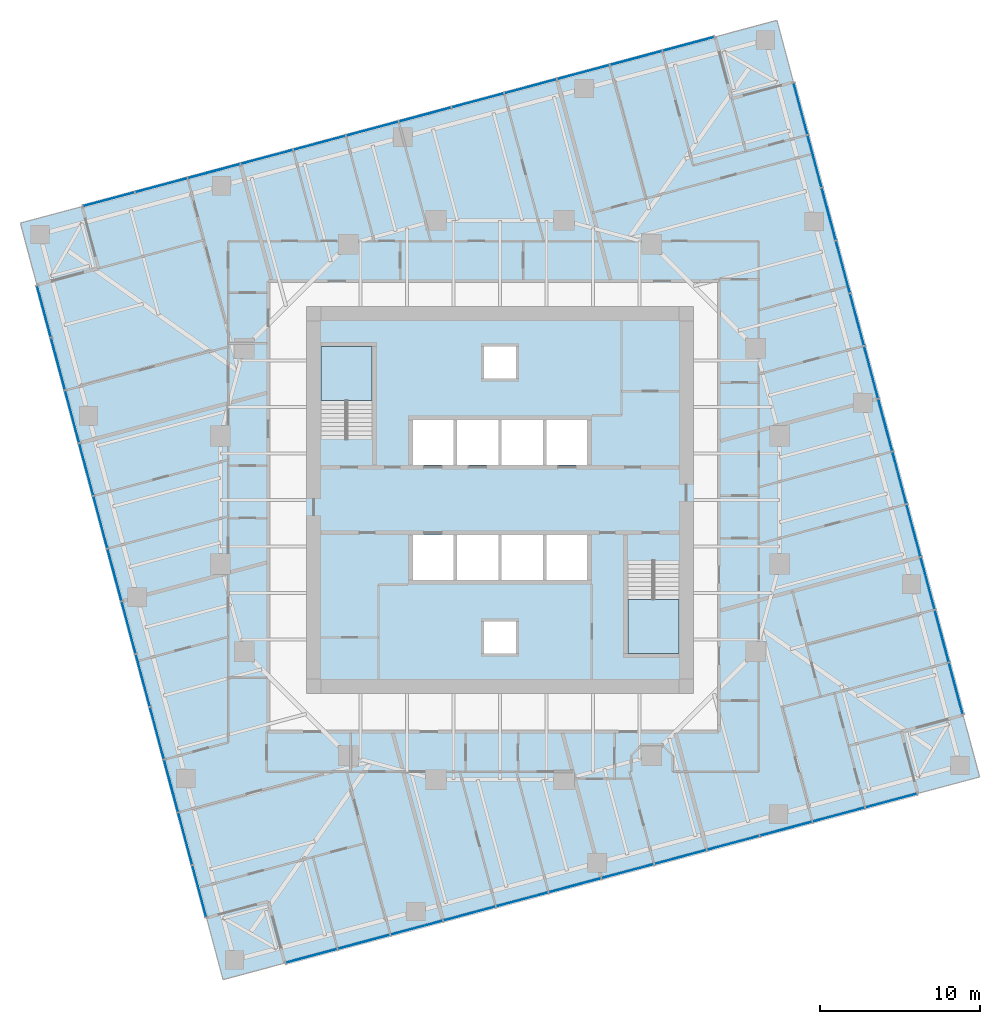
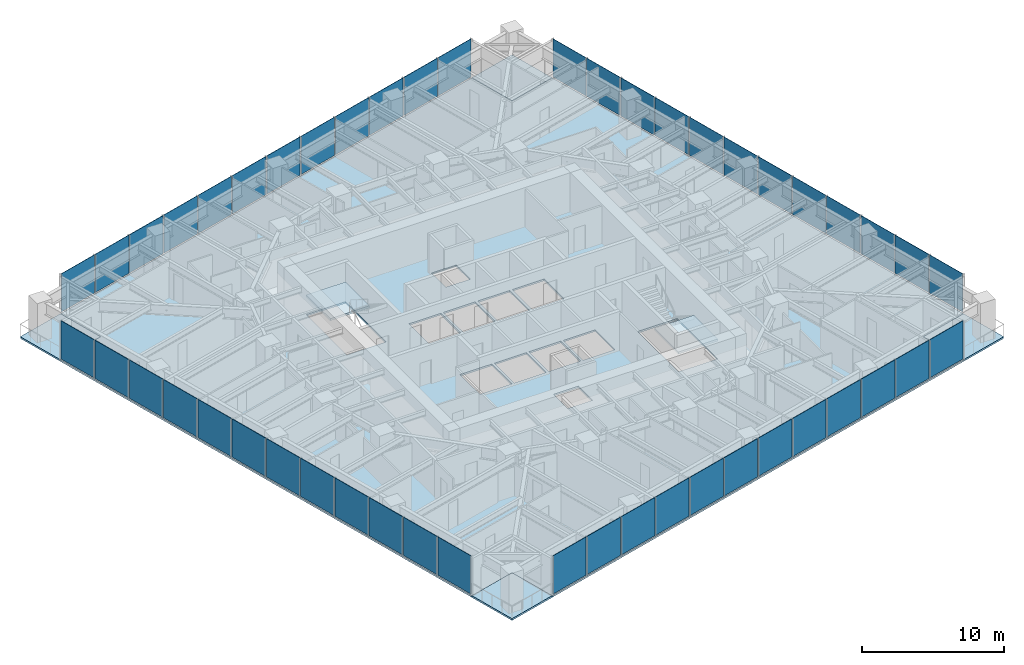
# One storey, part 7 of 14: 48 plates, 7 slabs, 6 elements without a shape of their own.
"""IFC4 building model written with IfcOpenShell, lengths in metres."""

from ifc_helpers import new_model, si_unit, direction, frame, origin, origin_2d, place, context, subcontext, project, spatial, polyline, rectangle, outline, extrude, material, layer, layer_set, type_object, element, aggregate, save


model = new_model("IFC4")

# Units and contexts
model_context = context("Model", 3, precision=1e-05, world=origin(), true_north=direction((0.0, 1.0)))
body_context = subcontext(model_context, "Body", "Model", "MODEL_VIEW")
ifc_project = project(units=[si_unit("LENGTHUNIT", "METRE"), si_unit("AREAUNIT", "SQUARE_METRE"), si_unit("VOLUMEUNIT", "CUBIC_METRE"), si_unit("PLANEANGLEUNIT", "RADIAN"), si_unit("MASSUNIT", "GRAM", prefix="KILO")], contexts=[model_context])

# Site, building, storey
site_placement = place(None, origin())
site = spatial("IfcSite", under=ifc_project, at=site_placement, CompositionType="ELEMENT")
building_placement = place(site_placement, origin())
building = spatial("IfcBuilding", under=site, at=building_placement, Name="Torsade Residences", CompositionType="ELEMENT")
storey_placement = place(building_placement, frame((0.0, 0.0, 128.60009765625)))
storey = spatial("IfcBuildingStorey", under=building, at=storey_placement, Name="L35", CompositionType="ELEMENT", Elevation=128.60009765625)

# Slab
ifc_material_1 = material(Name="Concrete 40 MPa", Category="concrete")
ifc_layer_1 = layer(ifc_material_1, 0.14990234375)
ifc_layer_set_1 = layer_set([ifc_layer_1], Name="Concrete 40 MPa")
slab_type_1 = type_object("IfcSlabType", Name="COMPOSITE FLOOR SLAB 150", PredefinedType="FLOOR", material=ifc_layer_set_1)
slab_1_placement = place(storey_placement, frame((0.0, 0.0, -0.150146484375)))
element("IfcSlab", 1, at=slab_1_placement, inside=storey, type_object=slab_type_1, Name="Floor slab L35", PredefinedType="FLOOR", context=body_context, shape_type="SweptSolid", body=[
    extrude(outline(polyline([(26.53955078125, 1.029052734375), (66.142578125, 11.640625), (65.107177734375, 15.50439453125), (68.970947265625, 16.53955078125), (58.359375, 56.142578125), (54.49560546875, 55.107177734375), (53.46044921875, 58.970947265625), (13.857421875, 48.359375), (14.892822265625, 44.49560546875), (11.029052734375, 43.46044921875), (21.640625, 3.857421875), (25.50439453125, 4.892822265625), (26.53955078125, 1.029052734375)]), holes=[polyline([(51.199951171875, 20.39990234375), (51.199951171875, 26.1201171875), (48.0, 26.1201171875), (48.0, 20.39990234375), (51.199951171875, 20.39990234375)]), polyline([(45.5, 27.800048828125), (42.89990234375, 27.800048828125), (42.89990234375, 25.0), (45.5, 25.0), (45.5, 27.800048828125)]), polyline([(45.5, 32.199951171875), (45.5, 35.0), (42.89990234375, 35.0), (42.89990234375, 32.199951171875), (45.5, 32.199951171875)]), polyline([(42.699951171875, 25.0), (42.699951171875, 27.800048828125), (40.10009765625, 27.800048828125), (40.10009765625, 25.0), (42.699951171875, 25.0)]), polyline([(42.699951171875, 32.199951171875), (42.699951171875, 35.0), (40.10009765625, 35.0), (40.10009765625, 32.199951171875), (42.699951171875, 32.199951171875)]), polyline([(41.0, 22.39990234375), (39.0, 22.39990234375), (39.0, 20.39990234375), (41.0, 20.39990234375), (41.0, 22.39990234375)]), polyline([(41.0, 37.60009765625), (41.0, 39.60009765625), (39.0, 39.60009765625), (39.0, 37.60009765625), (41.0, 37.60009765625)]), polyline([(39.89990234375, 25.0), (39.89990234375, 27.800048828125), (37.300048828125, 27.800048828125), (37.300048828125, 25.0), (39.89990234375, 25.0)]), polyline([(39.89990234375, 35.0), (37.300048828125, 35.0), (37.300048828125, 32.199951171875), (39.89990234375, 32.199951171875), (39.89990234375, 35.0)]), polyline([(37.10009765625, 27.800048828125), (34.5, 27.800048828125), (34.5, 25.0), (37.10009765625, 25.0), (37.10009765625, 27.800048828125)]), polyline([(37.10009765625, 32.199951171875), (37.10009765625, 35.0), (34.5, 35.0), (34.5, 32.199951171875), (37.10009765625, 32.199951171875)]), polyline([(32.0, 33.8798828125), (32.0, 39.60009765625), (28.800048828125, 39.60009765625), (28.800048828125, 33.8798828125), (32.0, 33.8798828125)])]), origin(), (0.0, 0.0, 1.0), 0.150146484375),
])

# Curtain wall, plates
ifc_material_2 = material(Name="Aluminium and glass", Category="aluminium")
curtain_wall_type = type_object("IfcCurtainWallType", Name="FRITTED GLASS CURTAIN WALL MID ZONE", PredefinedType="NOTDEFINED", material=ifc_material_2)
curtain_wall_1_placement = place(storey_placement, origin())
curtain_wall_1 = element("IfcCurtainWall", 2, at=curtain_wall_1_placement, inside=storey, type_object=curtain_wall_type, Name="Curtain wall L35 face 1", PredefinedType="NOTDEFINED")
ifc_material_3 = material(Name="Laminated glass", Category="glass")
ifc_layer_2 = layer(ifc_material_3, 0.031982421875)
ifc_layer_set_2 = layer_set([ifc_layer_2], Name="Laminated glass")
plate_type_1 = type_object("IfcPlateType", Name="FRITTED GLASS PANEL", PredefinedType="CURTAIN_PANEL", material=ifc_layer_set_2)
plate_1_placement = place(storey_placement, frame((28.208984375, 1.476318359375, 0.10986328125), z_axis=(0.0, 0.0, 1.0), x_axis=(0.965925825571, 0.258819047783, 0.0)))
plate_1 = element("IfcPlate", 3, at=plate_1_placement, type_object=plate_type_1, Name="Panel 1", PredefinedType="CURTAIN_PANEL", context=body_context, shape_type="SweptSolid", body=[
    extrude(rectangle(XDim=3.296630859375, YDim=0.031982421875, at=origin_2d()), origin(), (0.0, 0.0, 1.0), 3.2900390625),
])
plate_2_placement = place(storey_placement, frame((34.790283203125, 3.23974609375, 0.10986328125), z_axis=(0.0, 0.0, 1.0), x_axis=(0.965925825571, 0.258819047783, 0.0)))
plate_2 = element("IfcPlate", 4, at=plate_2_placement, type_object=plate_type_1, Name="Panel 3", PredefinedType="CURTAIN_PANEL", context=body_context, shape_type="SweptSolid", body=[
    extrude(rectangle(XDim=3.336669921875, YDim=0.031982421875, at=origin_2d()), origin(), (0.0, 0.0, 1.0), 3.2900390625),
])
plate_3_placement = place(storey_placement, frame((38.09033203125, 4.1240234375, 0.10986328125), z_axis=(0.0, 0.0, 1.0), x_axis=(0.965925825571, 0.258819047783, 0.0)))
plate_3 = element("IfcPlate", 5, at=plate_3_placement, type_object=plate_type_1, Name="Panel 4", PredefinedType="CURTAIN_PANEL", context=body_context, shape_type="SweptSolid", body=[
    extrude(rectangle(XDim=3.336669921875, YDim=0.031982421875, at=origin_2d()), origin(), (0.0, 0.0, 1.0), 3.2900390625),
])
plate_4_placement = place(storey_placement, frame((41.390625, 5.00830078125, 0.10986328125), z_axis=(0.0, 0.0, 1.0), x_axis=(0.965925825571, 0.258819047783, 0.0)))
plate_4 = element("IfcPlate", 6, at=plate_4_placement, type_object=plate_type_1, Name="Panel 5", PredefinedType="CURTAIN_PANEL", context=body_context, shape_type="SweptSolid", body=[
    extrude(rectangle(XDim=3.336669921875, YDim=0.031982421875, at=origin_2d()), origin(), (0.0, 0.0, 1.0), 3.2900390625),
])
plate_5_placement = place(storey_placement, frame((47.9912109375, 6.77685546875, 0.10986328125), z_axis=(0.0, 0.0, 1.0), x_axis=(0.965925825571, 0.258819047783, 0.0)))
plate_5 = element("IfcPlate", 7, at=plate_5_placement, type_object=plate_type_1, Name="Panel 7", PredefinedType="CURTAIN_PANEL", context=body_context, shape_type="SweptSolid", body=[
    extrude(rectangle(XDim=3.336669921875, YDim=0.031982421875, at=origin_2d()), origin(), (0.0, 0.0, 1.0), 3.2900390625),
])
plate_6_placement = place(storey_placement, frame((51.29150390625, 7.661376953125, 0.10986328125), z_axis=(0.0, 0.0, 1.0), x_axis=(0.965925825571, 0.258819047783, 0.0)))
plate_6 = element("IfcPlate", 8, at=plate_6_placement, type_object=plate_type_1, Name="Panel 8", PredefinedType="CURTAIN_PANEL", context=body_context, shape_type="SweptSolid", body=[
    extrude(rectangle(XDim=3.336669921875, YDim=0.031982421875, at=origin_2d()), origin(), (0.0, 0.0, 1.0), 3.2900390625),
])
plate_7_placement = place(storey_placement, frame((54.591796875, 8.545654296875, 0.10986328125), z_axis=(0.0, 0.0, 1.0), x_axis=(0.965925825571, 0.258819047783, 0.0)))
plate_7 = element("IfcPlate", 9, at=plate_7_placement, type_object=plate_type_1, Name="Panel 9", PredefinedType="CURTAIN_PANEL", context=body_context, shape_type="SweptSolid", body=[
    extrude(rectangle(XDim=3.336669921875, YDim=0.031982421875, at=origin_2d()), origin(), (0.0, 0.0, 1.0), 3.2900390625),
])
plate_8_placement = place(storey_placement, frame((61.192138671875, 10.314208984375, 0.10986328125), z_axis=(0.0, 0.0, 1.0), x_axis=(0.965925825571, 0.258819047783, 0.0)))
plate_8 = element("IfcPlate", 10, at=plate_8_placement, type_object=plate_type_1, Name="Panel 11", PredefinedType="CURTAIN_PANEL", context=body_context, shape_type="SweptSolid", body=[
    extrude(rectangle(XDim=3.336669921875, YDim=0.031982421875, at=origin_2d()), origin(), (0.0, 0.0, 1.0), 3.2900390625),
])
plate_9_placement = place(storey_placement, frame((64.47314453125, 11.193359375, 0.10986328125), z_axis=(0.0, 0.0, 1.0), x_axis=(0.965925825571, 0.258819047783, 0.0)))
plate_9 = element("IfcPlate", 11, at=plate_9_placement, type_object=plate_type_1, Name="Panel 12", PredefinedType="CURTAIN_PANEL", context=body_context, shape_type="SweptSolid", body=[
    extrude(rectangle(XDim=3.296630859375, YDim=0.031982421875, at=origin_2d()), origin(), (0.0, 0.0, 1.0), 3.2900390625),
])

curtain_wall_2_placement = place(storey_placement, origin())
curtain_wall_2 = element("IfcCurtainWall", 12, at=curtain_wall_2_placement, inside=storey, type_object=curtain_wall_type, Name="Curtain wall L35 face 4", PredefinedType="NOTDEFINED")
plate_10_placement = place(storey_placement, frame((68.523681640625, 18.208984375, 0.10986328125), z_axis=(0.0, 0.0, 1.0), x_axis=(-0.258819047783, 0.965925825571, 0.0)))
plate_10 = element("IfcPlate", 13, at=plate_10_placement, type_object=plate_type_1, Name="Panel 1", PredefinedType="CURTAIN_PANEL", context=body_context, shape_type="SweptSolid", body=[
    extrude(rectangle(XDim=3.296630859375, YDim=0.031982421875, at=origin_2d()), origin(), (0.0, 0.0, 1.0), 3.2900390625),
])
plate_11_placement = place(storey_placement, frame((66.76025390625, 24.790283203125, 0.10986328125), z_axis=(0.0, 0.0, 1.0), x_axis=(-0.258819047783, 0.965925825571, 0.0)))
plate_11 = element("IfcPlate", 14, at=plate_11_placement, type_object=plate_type_1, Name="Panel 3", PredefinedType="CURTAIN_PANEL", context=body_context, shape_type="SweptSolid", body=[
    extrude(rectangle(XDim=3.336669921875, YDim=0.031982421875, at=origin_2d()), origin(), (0.0, 0.0, 1.0), 3.2900390625),
])
plate_12_placement = place(storey_placement, frame((65.8759765625, 28.09033203125, 0.10986328125), z_axis=(0.0, 0.0, 1.0), x_axis=(-0.258819047783, 0.965925825571, 0.0)))
plate_12 = element("IfcPlate", 15, at=plate_12_placement, type_object=plate_type_1, Name="Panel 4", PredefinedType="CURTAIN_PANEL", context=body_context, shape_type="SweptSolid", body=[
    extrude(rectangle(XDim=3.336669921875, YDim=0.031982421875, at=origin_2d()), origin(), (0.0, 0.0, 1.0), 3.2900390625),
])
plate_13_placement = place(storey_placement, frame((64.99169921875, 31.390625, 0.10986328125), z_axis=(0.0, 0.0, 1.0), x_axis=(-0.258819047783, 0.965925825571, 0.0)))
plate_13 = element("IfcPlate", 16, at=plate_13_placement, type_object=plate_type_1, Name="Panel 5", PredefinedType="CURTAIN_PANEL", context=body_context, shape_type="SweptSolid", body=[
    extrude(rectangle(XDim=3.336669921875, YDim=0.031982421875, at=origin_2d()), origin(), (0.0, 0.0, 1.0), 3.2900390625),
])
plate_14_placement = place(storey_placement, frame((63.22314453125, 37.9912109375, 0.10986328125), z_axis=(0.0, 0.0, 1.0), x_axis=(-0.258819047783, 0.965925825571, 0.0)))
plate_14 = element("IfcPlate", 17, at=plate_14_placement, type_object=plate_type_1, Name="Panel 7", PredefinedType="CURTAIN_PANEL", context=body_context, shape_type="SweptSolid", body=[
    extrude(rectangle(XDim=3.336669921875, YDim=0.031982421875, at=origin_2d()), origin(), (0.0, 0.0, 1.0), 3.2900390625),
])
plate_15_placement = place(storey_placement, frame((62.338623046875, 41.29150390625, 0.10986328125), z_axis=(0.0, 0.0, 1.0), x_axis=(-0.258819047783, 0.965925825571, 0.0)))
plate_15 = element("IfcPlate", 18, at=plate_15_placement, type_object=plate_type_1, Name="Panel 8", PredefinedType="CURTAIN_PANEL", context=body_context, shape_type="SweptSolid", body=[
    extrude(rectangle(XDim=3.336669921875, YDim=0.031982421875, at=origin_2d()), origin(), (0.0, 0.0, 1.0), 3.2900390625),
])
plate_16_placement = place(storey_placement, frame((61.454345703125, 44.591796875, 0.10986328125), z_axis=(0.0, 0.0, 1.0), x_axis=(-0.258819047783, 0.965925825571, 0.0)))
plate_16 = element("IfcPlate", 19, at=plate_16_placement, type_object=plate_type_1, Name="Panel 9", PredefinedType="CURTAIN_PANEL", context=body_context, shape_type="SweptSolid", body=[
    extrude(rectangle(XDim=3.336669921875, YDim=0.031982421875, at=origin_2d()), origin(), (0.0, 0.0, 1.0), 3.2900390625),
])
plate_17_placement = place(storey_placement, frame((59.685791015625, 51.192138671875, 0.10986328125), z_axis=(0.0, 0.0, 1.0), x_axis=(-0.258819047783, 0.965925825571, 0.0)))
plate_17 = element("IfcPlate", 20, at=plate_17_placement, type_object=plate_type_1, Name="Panel 11", PredefinedType="CURTAIN_PANEL", context=body_context, shape_type="SweptSolid", body=[
    extrude(rectangle(XDim=3.336669921875, YDim=0.031982421875, at=origin_2d()), origin(), (0.0, 0.0, 1.0), 3.2900390625),
])
plate_18_placement = place(storey_placement, frame((58.806640625, 54.47314453125, 0.10986328125), z_axis=(0.0, 0.0, 1.0), x_axis=(-0.258819047783, 0.965925825571, 0.0)))
plate_18 = element("IfcPlate", 21, at=plate_18_placement, type_object=plate_type_1, Name="Panel 12", PredefinedType="CURTAIN_PANEL", context=body_context, shape_type="SweptSolid", body=[
    extrude(rectangle(XDim=3.296630859375, YDim=0.031982421875, at=origin_2d()), origin(), (0.0, 0.0, 1.0), 3.2900390625),
])

curtain_wall_3_placement = place(storey_placement, origin())
curtain_wall_3 = element("IfcCurtainWall", 22, at=curtain_wall_3_placement, inside=storey, type_object=curtain_wall_type, Name="Curtain wall L35 face 7", PredefinedType="NOTDEFINED")
plate_19_placement = place(storey_placement, frame((51.791015625, 58.523681640625, 0.10986328125), z_axis=(0.0, 0.0, 1.0), x_axis=(-0.965925825571, -0.258819047783, 0.0)))
plate_19 = element("IfcPlate", 23, at=plate_19_placement, type_object=plate_type_1, Name="Panel 1", PredefinedType="CURTAIN_PANEL", context=body_context, shape_type="SweptSolid", body=[
    extrude(rectangle(XDim=3.296630859375, YDim=0.031982421875, at=origin_2d()), origin(), (0.0, 0.0, 1.0), 3.2900390625),
])
plate_20_placement = place(storey_placement, frame((45.209716796875, 56.76025390625, 0.10986328125), z_axis=(0.0, 0.0, 1.0), x_axis=(-0.965925825571, -0.258819047783, 0.0)))
plate_20 = element("IfcPlate", 24, at=plate_20_placement, type_object=plate_type_1, Name="Panel 3", PredefinedType="CURTAIN_PANEL", context=body_context, shape_type="SweptSolid", body=[
    extrude(rectangle(XDim=3.336669921875, YDim=0.031982421875, at=origin_2d()), origin(), (0.0, 0.0, 1.0), 3.2900390625),
])
plate_21_placement = place(storey_placement, frame((41.90966796875, 55.8759765625, 0.10986328125), z_axis=(0.0, 0.0, 1.0), x_axis=(-0.965925825571, -0.258819047783, 0.0)))
plate_21 = element("IfcPlate", 25, at=plate_21_placement, type_object=plate_type_1, Name="Panel 4", PredefinedType="CURTAIN_PANEL", context=body_context, shape_type="SweptSolid", body=[
    extrude(rectangle(XDim=3.336669921875, YDim=0.031982421875, at=origin_2d()), origin(), (0.0, 0.0, 1.0), 3.2900390625),
])
plate_22_placement = place(storey_placement, frame((38.609375, 54.99169921875, 0.10986328125), z_axis=(0.0, 0.0, 1.0), x_axis=(-0.965925825571, -0.258819047783, 0.0)))
plate_22 = element("IfcPlate", 26, at=plate_22_placement, type_object=plate_type_1, Name="Panel 5", PredefinedType="CURTAIN_PANEL", context=body_context, shape_type="SweptSolid", body=[
    extrude(rectangle(XDim=3.336669921875, YDim=0.031982421875, at=origin_2d()), origin(), (0.0, 0.0, 1.0), 3.2900390625),
])
plate_23_placement = place(storey_placement, frame((32.0087890625, 53.22314453125, 0.10986328125), z_axis=(0.0, 0.0, 1.0), x_axis=(-0.965925825571, -0.258819047783, 0.0)))
plate_23 = element("IfcPlate", 27, at=plate_23_placement, type_object=plate_type_1, Name="Panel 7", PredefinedType="CURTAIN_PANEL", context=body_context, shape_type="SweptSolid", body=[
    extrude(rectangle(XDim=3.336669921875, YDim=0.031982421875, at=origin_2d()), origin(), (0.0, 0.0, 1.0), 3.2900390625),
])
plate_24_placement = place(storey_placement, frame((28.70849609375, 52.338623046875, 0.10986328125), z_axis=(0.0, 0.0, 1.0), x_axis=(-0.965925825571, -0.258819047783, 0.0)))
plate_24 = element("IfcPlate", 28, at=plate_24_placement, type_object=plate_type_1, Name="Panel 8", PredefinedType="CURTAIN_PANEL", context=body_context, shape_type="SweptSolid", body=[
    extrude(rectangle(XDim=3.336669921875, YDim=0.031982421875, at=origin_2d()), origin(), (0.0, 0.0, 1.0), 3.2900390625),
])
plate_25_placement = place(storey_placement, frame((25.408203125, 51.454345703125, 0.10986328125), z_axis=(0.0, 0.0, 1.0), x_axis=(-0.965925825571, -0.258819047783, 0.0)))
plate_25 = element("IfcPlate", 29, at=plate_25_placement, type_object=plate_type_1, Name="Panel 9", PredefinedType="CURTAIN_PANEL", context=body_context, shape_type="SweptSolid", body=[
    extrude(rectangle(XDim=3.336669921875, YDim=0.031982421875, at=origin_2d()), origin(), (0.0, 0.0, 1.0), 3.2900390625),
])
plate_26_placement = place(storey_placement, frame((18.807861328125, 49.685791015625, 0.10986328125), z_axis=(0.0, 0.0, 1.0), x_axis=(-0.965925825571, -0.258819047783, 0.0)))
plate_26 = element("IfcPlate", 30, at=plate_26_placement, type_object=plate_type_1, Name="Panel 11", PredefinedType="CURTAIN_PANEL", context=body_context, shape_type="SweptSolid", body=[
    extrude(rectangle(XDim=3.336669921875, YDim=0.031982421875, at=origin_2d()), origin(), (0.0, 0.0, 1.0), 3.2900390625),
])
plate_27_placement = place(storey_placement, frame((15.52685546875, 48.806640625, 0.10986328125), z_axis=(0.0, 0.0, 1.0), x_axis=(-0.965925825571, -0.258819047783, 0.0)))
plate_27 = element("IfcPlate", 31, at=plate_27_placement, type_object=plate_type_1, Name="Panel 12", PredefinedType="CURTAIN_PANEL", context=body_context, shape_type="SweptSolid", body=[
    extrude(rectangle(XDim=3.296630859375, YDim=0.031982421875, at=origin_2d()), origin(), (0.0, 0.0, 1.0), 3.2900390625),
])

curtain_wall_4_placement = place(storey_placement, origin())
curtain_wall_4 = element("IfcCurtainWall", 32, at=curtain_wall_4_placement, inside=storey, type_object=curtain_wall_type, Name="Curtain wall L35 face 10", PredefinedType="NOTDEFINED")
plate_28_placement = place(storey_placement, frame((11.476318359375, 41.791015625, 0.10986328125), z_axis=(0.0, 0.0, 1.0), x_axis=(0.258819047783, -0.965925825571, 0.0)))
plate_28 = element("IfcPlate", 33, at=plate_28_placement, type_object=plate_type_1, Name="Panel 1", PredefinedType="CURTAIN_PANEL", context=body_context, shape_type="SweptSolid", body=[
    extrude(rectangle(XDim=3.296630859375, YDim=0.031982421875, at=origin_2d()), origin(), (0.0, 0.0, 1.0), 3.2900390625),
])
plate_29_placement = place(storey_placement, frame((13.23974609375, 35.209716796875, 0.10986328125), z_axis=(0.0, 0.0, 1.0), x_axis=(0.258819047783, -0.965925825571, 0.0)))
plate_29 = element("IfcPlate", 34, at=plate_29_placement, type_object=plate_type_1, Name="Panel 3", PredefinedType="CURTAIN_PANEL", context=body_context, shape_type="SweptSolid", body=[
    extrude(rectangle(XDim=3.336669921875, YDim=0.031982421875, at=origin_2d()), origin(), (0.0, 0.0, 1.0), 3.2900390625),
])
plate_30_placement = place(storey_placement, frame((14.1240234375, 31.90966796875, 0.10986328125), z_axis=(0.0, 0.0, 1.0), x_axis=(0.258819047783, -0.965925825571, 0.0)))
plate_30 = element("IfcPlate", 35, at=plate_30_placement, type_object=plate_type_1, Name="Panel 4", PredefinedType="CURTAIN_PANEL", context=body_context, shape_type="SweptSolid", body=[
    extrude(rectangle(XDim=3.336669921875, YDim=0.031982421875, at=origin_2d()), origin(), (0.0, 0.0, 1.0), 3.2900390625),
])
plate_31_placement = place(storey_placement, frame((15.00830078125, 28.609375, 0.10986328125), z_axis=(0.0, 0.0, 1.0), x_axis=(0.258819047783, -0.965925825571, 0.0)))
plate_31 = element("IfcPlate", 36, at=plate_31_placement, type_object=plate_type_1, Name="Panel 5", PredefinedType="CURTAIN_PANEL", context=body_context, shape_type="SweptSolid", body=[
    extrude(rectangle(XDim=3.336669921875, YDim=0.031982421875, at=origin_2d()), origin(), (0.0, 0.0, 1.0), 3.2900390625),
])
plate_32_placement = place(storey_placement, frame((16.77685546875, 22.0087890625, 0.10986328125), z_axis=(0.0, 0.0, 1.0), x_axis=(0.258819047783, -0.965925825571, 0.0)))
plate_32 = element("IfcPlate", 37, at=plate_32_placement, type_object=plate_type_1, Name="Panel 7", PredefinedType="CURTAIN_PANEL", context=body_context, shape_type="SweptSolid", body=[
    extrude(rectangle(XDim=3.336669921875, YDim=0.031982421875, at=origin_2d()), origin(), (0.0, 0.0, 1.0), 3.2900390625),
])
plate_33_placement = place(storey_placement, frame((17.661376953125, 18.70849609375, 0.10986328125), z_axis=(0.0, 0.0, 1.0), x_axis=(0.258819047783, -0.965925825571, 0.0)))
plate_33 = element("IfcPlate", 38, at=plate_33_placement, type_object=plate_type_1, Name="Panel 8", PredefinedType="CURTAIN_PANEL", context=body_context, shape_type="SweptSolid", body=[
    extrude(rectangle(XDim=3.336669921875, YDim=0.031982421875, at=origin_2d()), origin(), (0.0, 0.0, 1.0), 3.2900390625),
])
plate_34_placement = place(storey_placement, frame((18.545654296875, 15.408203125, 0.10986328125), z_axis=(0.0, 0.0, 1.0), x_axis=(0.258819047783, -0.965925825571, 0.0)))
plate_34 = element("IfcPlate", 39, at=plate_34_placement, type_object=plate_type_1, Name="Panel 9", PredefinedType="CURTAIN_PANEL", context=body_context, shape_type="SweptSolid", body=[
    extrude(rectangle(XDim=3.336669921875, YDim=0.031982421875, at=origin_2d()), origin(), (0.0, 0.0, 1.0), 3.2900390625),
])
plate_35_placement = place(storey_placement, frame((20.314208984375, 8.807861328125, 0.10986328125), z_axis=(0.0, 0.0, 1.0), x_axis=(0.258819047783, -0.965925825571, 0.0)))
plate_35 = element("IfcPlate", 40, at=plate_35_placement, type_object=plate_type_1, Name="Panel 11", PredefinedType="CURTAIN_PANEL", context=body_context, shape_type="SweptSolid", body=[
    extrude(rectangle(XDim=3.336669921875, YDim=0.031982421875, at=origin_2d()), origin(), (0.0, 0.0, 1.0), 3.2900390625),
])
plate_36_placement = place(storey_placement, frame((21.193359375, 5.52685546875, 0.10986328125), z_axis=(0.0, 0.0, 1.0), x_axis=(0.258819047783, -0.965925825571, 0.0)))
plate_36 = element("IfcPlate", 41, at=plate_36_placement, type_object=plate_type_1, Name="Panel 12", PredefinedType="CURTAIN_PANEL", context=body_context, shape_type="SweptSolid", body=[
    extrude(rectangle(XDim=3.296630859375, YDim=0.031982421875, at=origin_2d()), origin(), (0.0, 0.0, 1.0), 3.2900390625),
])

# Plate
ifc_material_4 = material(Name="Laminated glass", Category="glass")
ifc_layer_3 = layer(ifc_material_4, 0.0400390625)
ifc_layer_set_3 = layer_set([ifc_layer_3], Name="Laminated glass")
plate_type_2 = type_object("IfcPlateType", Name="OPERABLE VENT PANEL", PredefinedType="CURTAIN_PANEL", material=ifc_layer_set_3)
plate_37_placement = place(storey_placement, frame((31.489990234375, 2.35546875, 0.10986328125), z_axis=(0.0, 0.0, 1.0), x_axis=(0.965925825571, 0.258819047783, 0.0)))
plate_37 = element("IfcPlate", 42, at=plate_37_placement, type_object=plate_type_2, Name="Panel 2", PredefinedType="CURTAIN_PANEL", context=body_context, shape_type="SweptSolid", body=[
    extrude(rectangle(XDim=3.336669921875, YDim=0.0400390625, at=origin_2d()), origin(), (0.0, 0.0, 1.0), 3.2900390625),
])

plate_38_placement = place(storey_placement, frame((44.69091796875, 5.892578125, 0.10986328125), z_axis=(0.0, 0.0, 1.0), x_axis=(0.965925825571, 0.258819047783, 0.0)))
plate_38 = element("IfcPlate", 43, at=plate_38_placement, type_object=plate_type_2, Name="Panel 6", PredefinedType="CURTAIN_PANEL", context=body_context, shape_type="SweptSolid", body=[
    extrude(rectangle(XDim=3.336669921875, YDim=0.0400390625, at=origin_2d()), origin(), (0.0, 0.0, 1.0), 3.2900390625),
])

plate_39_placement = place(storey_placement, frame((57.891845703125, 9.429931640625, 0.10986328125), z_axis=(0.0, 0.0, 1.0), x_axis=(0.965925825571, 0.258819047783, 0.0)))
plate_39 = element("IfcPlate", 44, at=plate_39_placement, type_object=plate_type_2, Name="Panel 10", PredefinedType="CURTAIN_PANEL", context=body_context, shape_type="SweptSolid", body=[
    extrude(rectangle(XDim=3.336669921875, YDim=0.0400390625, at=origin_2d()), origin(), (0.0, 0.0, 1.0), 3.2900390625),
])

aggregate(curtain_wall_1, [plate_1, plate_37, plate_2, plate_3, plate_4, plate_38, plate_5, plate_6, plate_7, plate_39, plate_8, plate_9])

plate_40_placement = place(storey_placement, frame((67.64453125, 21.489990234375, 0.10986328125), z_axis=(0.0, 0.0, 1.0), x_axis=(-0.258819047783, 0.965925825571, 0.0)))
plate_40 = element("IfcPlate", 45, at=plate_40_placement, type_object=plate_type_2, Name="Panel 2", PredefinedType="CURTAIN_PANEL", context=body_context, shape_type="SweptSolid", body=[
    extrude(rectangle(XDim=3.336669921875, YDim=0.0400390625, at=origin_2d()), origin(), (0.0, 0.0, 1.0), 3.2900390625),
])

plate_41_placement = place(storey_placement, frame((64.107421875, 34.69091796875, 0.10986328125), z_axis=(0.0, 0.0, 1.0), x_axis=(-0.258819047783, 0.965925825571, 0.0)))
plate_41 = element("IfcPlate", 46, at=plate_41_placement, type_object=plate_type_2, Name="Panel 6", PredefinedType="CURTAIN_PANEL", context=body_context, shape_type="SweptSolid", body=[
    extrude(rectangle(XDim=3.336669921875, YDim=0.0400390625, at=origin_2d()), origin(), (0.0, 0.0, 1.0), 3.2900390625),
])

plate_42_placement = place(storey_placement, frame((60.570068359375, 47.891845703125, 0.10986328125), z_axis=(0.0, 0.0, 1.0), x_axis=(-0.258819047783, 0.965925825571, 0.0)))
plate_42 = element("IfcPlate", 47, at=plate_42_placement, type_object=plate_type_2, Name="Panel 10", PredefinedType="CURTAIN_PANEL", context=body_context, shape_type="SweptSolid", body=[
    extrude(rectangle(XDim=3.336669921875, YDim=0.0400390625, at=origin_2d()), origin(), (0.0, 0.0, 1.0), 3.2900390625),
])

aggregate(curtain_wall_2, [plate_10, plate_40, plate_11, plate_12, plate_13, plate_41, plate_14, plate_15, plate_16, plate_42, plate_17, plate_18])

plate_43_placement = place(storey_placement, frame((48.510009765625, 57.64453125, 0.10986328125), z_axis=(0.0, 0.0, 1.0), x_axis=(-0.965925825571, -0.258819047783, 0.0)))
plate_43 = element("IfcPlate", 48, at=plate_43_placement, type_object=plate_type_2, Name="Panel 2", PredefinedType="CURTAIN_PANEL", context=body_context, shape_type="SweptSolid", body=[
    extrude(rectangle(XDim=3.336669921875, YDim=0.0400390625, at=origin_2d()), origin(), (0.0, 0.0, 1.0), 3.2900390625),
])

plate_44_placement = place(storey_placement, frame((35.30908203125, 54.107421875, 0.10986328125), z_axis=(0.0, 0.0, 1.0), x_axis=(-0.965925825571, -0.258819047783, 0.0)))
plate_44 = element("IfcPlate", 49, at=plate_44_placement, type_object=plate_type_2, Name="Panel 6", PredefinedType="CURTAIN_PANEL", context=body_context, shape_type="SweptSolid", body=[
    extrude(rectangle(XDim=3.336669921875, YDim=0.0400390625, at=origin_2d()), origin(), (0.0, 0.0, 1.0), 3.2900390625),
])

plate_45_placement = place(storey_placement, frame((22.108154296875, 50.570068359375, 0.10986328125), z_axis=(0.0, 0.0, 1.0), x_axis=(-0.965925825571, -0.258819047783, 0.0)))
plate_45 = element("IfcPlate", 50, at=plate_45_placement, type_object=plate_type_2, Name="Panel 10", PredefinedType="CURTAIN_PANEL", context=body_context, shape_type="SweptSolid", body=[
    extrude(rectangle(XDim=3.336669921875, YDim=0.0400390625, at=origin_2d()), origin(), (0.0, 0.0, 1.0), 3.2900390625),
])

aggregate(curtain_wall_3, [plate_19, plate_43, plate_20, plate_21, plate_22, plate_44, plate_23, plate_24, plate_25, plate_45, plate_26, plate_27])

plate_46_placement = place(storey_placement, frame((12.35546875, 38.510009765625, 0.10986328125), z_axis=(0.0, 0.0, 1.0), x_axis=(0.258819047783, -0.965925825571, 0.0)))
plate_46 = element("IfcPlate", 51, at=plate_46_placement, type_object=plate_type_2, Name="Panel 2", PredefinedType="CURTAIN_PANEL", context=body_context, shape_type="SweptSolid", body=[
    extrude(rectangle(XDim=3.336669921875, YDim=0.0400390625, at=origin_2d()), origin(), (0.0, 0.0, 1.0), 3.2900390625),
])

plate_47_placement = place(storey_placement, frame((15.892578125, 25.30908203125, 0.10986328125), z_axis=(0.0, 0.0, 1.0), x_axis=(0.258819047783, -0.965925825571, 0.0)))
plate_47 = element("IfcPlate", 52, at=plate_47_placement, type_object=plate_type_2, Name="Panel 6", PredefinedType="CURTAIN_PANEL", context=body_context, shape_type="SweptSolid", body=[
    extrude(rectangle(XDim=3.336669921875, YDim=0.0400390625, at=origin_2d()), origin(), (0.0, 0.0, 1.0), 3.2900390625),
])

plate_48_placement = place(storey_placement, frame((19.429931640625, 12.108154296875, 0.10986328125), z_axis=(0.0, 0.0, 1.0), x_axis=(0.258819047783, -0.965925825571, 0.0)))
plate_48 = element("IfcPlate", 53, at=plate_48_placement, type_object=plate_type_2, Name="Panel 10", PredefinedType="CURTAIN_PANEL", context=body_context, shape_type="SweptSolid", body=[
    extrude(rectangle(XDim=3.336669921875, YDim=0.0400390625, at=origin_2d()), origin(), (0.0, 0.0, 1.0), 3.2900390625),
])

aggregate(curtain_wall_4, [plate_28, plate_46, plate_29, plate_30, plate_31, plate_47, plate_32, plate_33, plate_34, plate_48, plate_35, plate_36])

# Stair, slab
ifc_material_5 = material(Name="Precast concrete 40 MPa", Category="concrete")
stair_type = type_object("IfcStairType", Name="HALF-TURN FIRE STAIR 1500x3400", PredefinedType="HALF_TURN_STAIR", material=ifc_material_5)
stair_1_placement = place(storey_placement, origin())
stair_1 = element("IfcStair", 54, at=stair_1_placement, inside=storey, type_object=stair_type, Name="Stair ST1 L35", PredefinedType="HALF_TURN_STAIR")
ifc_material_6 = material(Name="Precast concrete 40 MPa", Category="concrete")
ifc_layer_4 = layer(ifc_material_6, 0.179931640625)
ifc_layer_set_4 = layer_set([ifc_layer_4], Name="Precast concrete 40 MPa")
slab_type_2 = type_object("IfcSlabType", Name="PRECAST STAIR LANDING 180", PredefinedType="LANDING", material=ifc_layer_set_4)
slab_2_placement = place(storey_placement, frame((0.0, 0.0, 1.52001953125)))
slab_2 = element("IfcSlab", 55, at=slab_2_placement, type_object=slab_type_2, Name="ST1 landing 1", PredefinedType="LANDING", context=body_context, shape_type="SweptSolid", body=[
    extrude(outline(polyline([(28.800048828125, 36.2099609375), (32.0, 36.2099609375), (32.0, 39.60009765625), (28.800048828125, 39.60009765625), (28.800048828125, 36.2099609375)])), origin(), (0.0, 0.0, 1.0), 0.179931640625),
])
aggregate(stair_1, [slab_2])

stair_2_placement = place(storey_placement, origin())
stair_2 = element("IfcStair", 56, at=stair_2_placement, inside=storey, type_object=stair_type, Name="Stair ST2 L35", PredefinedType="HALF_TURN_STAIR")
slab_3_placement = place(storey_placement, frame((0.0, 0.0, 1.52001953125)))
slab_3 = element("IfcSlab", 57, at=slab_3_placement, type_object=slab_type_2, Name="ST2 landing 1", PredefinedType="LANDING", context=body_context, shape_type="SweptSolid", body=[
    extrude(outline(polyline([(48.0, 20.39990234375), (51.199951171875, 20.39990234375), (51.199951171875, 23.7900390625), (48.0, 23.7900390625), (48.0, 20.39990234375)])), origin(), (0.0, 0.0, 1.0), 0.179931640625),
])
aggregate(stair_2, [slab_3])

# Slabs
ifc_material_7 = material(Name="Concrete 40 MPa", Category="concrete")
ifc_layer_5 = layer(ifc_material_7, 0.14990234375)
ifc_layer_set_5 = layer_set([ifc_layer_5], Name="Concrete 40 MPa")
slab_type_3 = type_object("IfcSlabType", Name="TERRACE SLAB 150", PredefinedType="FLOOR", material=ifc_layer_set_5)
slab_4_placement = place(storey_placement, frame((0.0, 0.0, -0.150146484375)))
element("IfcSlab", 58, at=slab_4_placement, inside=storey, type_object=slab_type_3, Name="Corner terrace slab SE L35", PredefinedType="FLOOR", context=body_context, shape_type="SweptSolid", body=[
    extrude(outline(polyline([(66.142578125, 11.640625), (70.00634765625, 12.67578125), (68.970947265625, 16.53955078125), (65.107177734375, 15.50439453125), (66.142578125, 11.640625)])), origin(), (0.0, 0.0, 1.0), 0.150146484375),
])
slab_5_placement = place(storey_placement, frame((0.0, 0.0, -0.150146484375)))
element("IfcSlab", 59, at=slab_5_placement, inside=storey, type_object=slab_type_3, Name="Corner terrace slab NE L35", PredefinedType="FLOOR", context=body_context, shape_type="SweptSolid", body=[
    extrude(outline(polyline([(54.49560546875, 55.107177734375), (58.359375, 56.142578125), (57.32421875, 60.00634765625), (53.46044921875, 58.970947265625), (54.49560546875, 55.107177734375)])), origin(), (0.0, 0.0, 1.0), 0.150146484375),
])
slab_6_placement = place(storey_placement, frame((0.0, 0.0, -0.150146484375)))
element("IfcSlab", 60, at=slab_6_placement, inside=storey, type_object=slab_type_3, Name="Corner terrace slab NW L35", PredefinedType="FLOOR", context=body_context, shape_type="SweptSolid", body=[
    extrude(outline(polyline([(11.029052734375, 43.46044921875), (14.892822265625, 44.49560546875), (13.857421875, 48.359375), (9.99365234375, 47.32421875), (11.029052734375, 43.46044921875)])), origin(), (0.0, 0.0, 1.0), 0.150146484375),
])
slab_7_placement = place(storey_placement, frame((0.0, 0.0, -0.150146484375)))
element("IfcSlab", 61, at=slab_7_placement, inside=storey, type_object=slab_type_3, Name="Corner terrace slab SW L35", PredefinedType="FLOOR", context=body_context, shape_type="SweptSolid", body=[
    extrude(outline(polyline([(22.67578125, -0.00634765625), (26.53955078125, 1.029052734375), (25.50439453125, 4.892822265625), (21.640625, 3.857421875), (22.67578125, -0.00634765625)])), origin(), (0.0, 0.0, 1.0), 0.150146484375),
])

save(model, "model.ifc")
